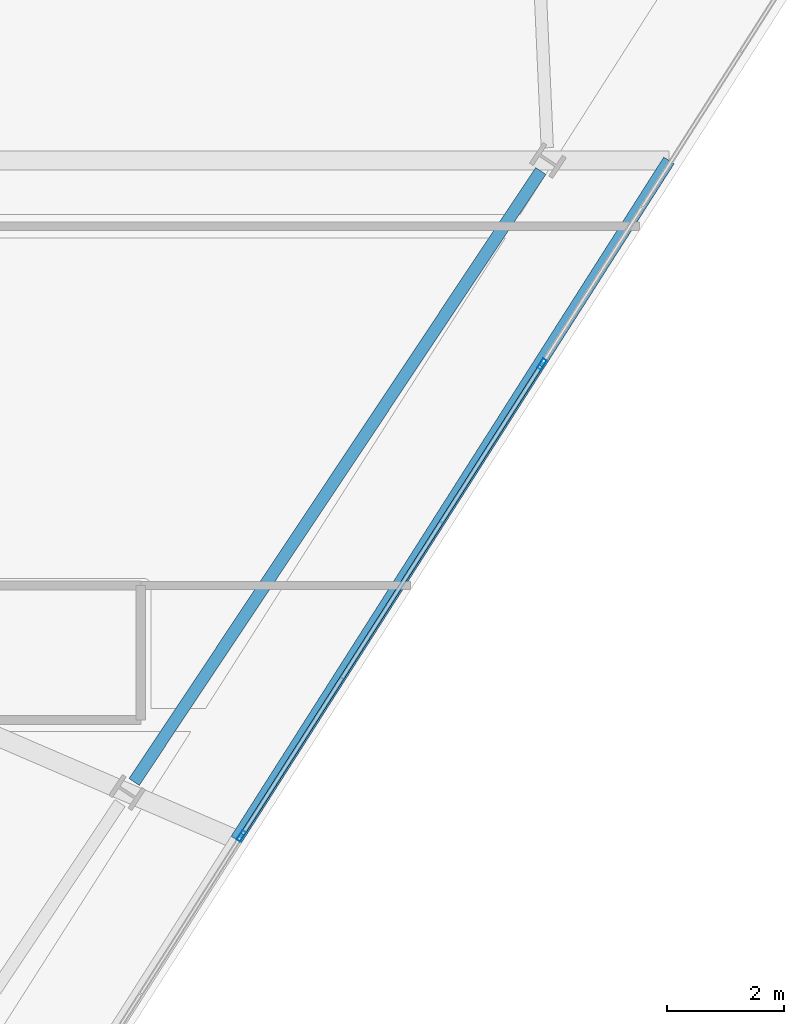
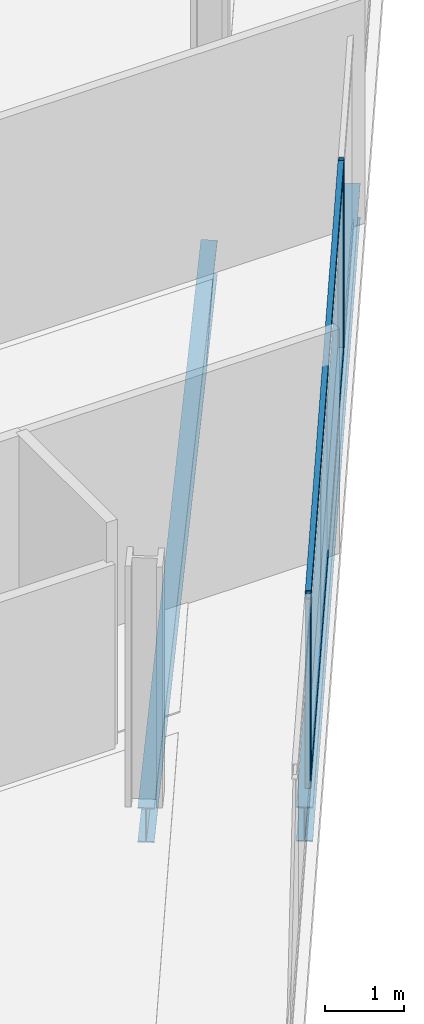
# One storey, part 11 of 30: 4 members, 2 beams, 1 element without a shape of its own.
"""IFC4 building model written with IfcOpenShell, lengths in metres."""

from ifc_helpers import new_model, si_unit, direction, frame, origin, origin_2d, place, context, subcontext, project, spatial, hollow_rectangle, i_section, extrude, material, material_profile, profile_set, type_object, element, aggregate, save


model = new_model("IFC4")

# Units and contexts
model_context = context("Model", 3, precision=1e-05, world=origin(), true_north=direction((0.0, 1.0)))
body_context = subcontext(model_context, "Body", "Model", "MODEL_VIEW")
ifc_project = project(units=[si_unit("LENGTHUNIT", "METRE"), si_unit("AREAUNIT", "SQUARE_METRE"), si_unit("VOLUMEUNIT", "CUBIC_METRE"), si_unit("PLANEANGLEUNIT", "RADIAN"), si_unit("MASSUNIT", "GRAM", prefix="KILO")], contexts=[model_context])

# Site, building, storey
site_placement = place(None, origin())
site = spatial("IfcSite", under=ifc_project, at=site_placement, CompositionType="ELEMENT")
building_placement = place(site_placement, origin())
building = spatial("IfcBuilding", under=site, at=building_placement, Name="Haldenkirk Collegiate Tower", CompositionType="ELEMENT")
storey_placement = place(building_placement, frame((0.0, 0.0, 220.949951171875)))
storey = spatial("IfcBuildingStorey", under=building, at=storey_placement, Name="L55", CompositionType="ELEMENT", Elevation=220.949951171875)

# Beams
ifc_material_1 = material(Name="Steel ASTM A992 Grade 50", Category="steel")
ifc_material_profile_1 = material_profile(ifc_material_1, i_section(OverallWidth=0.2099609375, OverallDepth=0.537109375, WebThickness=0.010986328125, FlangeThickness=0.017333984375, at=origin_2d()), Name="W21X68")
ifc_profile_set_1 = profile_set([ifc_material_profile_1], Name="Steel ASTM A992 Grade 50")
beam_type = type_object("IfcBeamType", Name="BM-SPANDREL-W21X68", PredefinedType="SPANDREL", material=ifc_profile_set_1)
beam_1_placement = place(storey_placement, frame((53.6845703125, 14.48876953125, -0.54833984375), z_axis=(0.554125989098, 0.832432813028, 0.0), x_axis=(-0.832432813028, 0.554125989098, 0.0)))
element("IfcBeam", 1, at=beam_1_placement, inside=storey, type_object=beam_type, Name="L55 perimeter spandrel beam 03", PredefinedType="SPANDREL", context=body_context, shape_type="SweptSolid", body=[
    extrude(i_section(OverallWidth=0.2099609375, OverallDepth=0.537109375, WebThickness=0.010986328125, FlangeThickness=0.017333984375, at=origin_2d()), origin(), (0.0, 0.0, 1.0), 12.56201171875),
])
beam_2_placement = place(storey_placement, frame((55.43359375, 13.50244140625, -0.54833984375), z_axis=(0.537297223692, 0.843392965001, 0.0), x_axis=(-0.843392965001, 0.537297223692, 0.0)))
element("IfcBeam", 2, at=beam_2_placement, inside=storey, type_object=beam_type, Name="L55 outer facade edge beam 1B", PredefinedType="SPANDREL", context=body_context, shape_type="SweptSolid", body=[
    extrude(i_section(OverallWidth=0.2099609375, OverallDepth=0.537109375, WebThickness=0.010986328125, FlangeThickness=0.017333984375, at=origin_2d()), origin(), (0.0, 0.0, 1.0), 13.782470703125),
])

# Curtain wall, members
ifc_material_2 = material(Name="Anodised architectural bronze aluminium", Category="aluminium")
curtain_wall_type = type_object("IfcCurtainWallType", Name="CW-SYS2-CONCAVE", PredefinedType="USERDEFINED", material=ifc_material_2)
curtain_wall_placement = place(storey_placement, origin())
curtain_wall = element("IfcCurtainWall", 3, at=curtain_wall_placement, inside=storey, type_object=curtain_wall_type, Name="L55 South concave recessed bronze-anodised curtain wall", ObjectType="UNITISED CURTAIN WALL", PredefinedType="USERDEFINED")
ifc_material_profile_2 = material_profile(ifc_material_2, hollow_rectangle(XDim=0.074951171875, YDim=0.18994140625, WallThickness=0.0048828125, at=origin_2d()), Name="CW-MUL-02")
ifc_profile_set_2 = profile_set([ifc_material_profile_2], Name="Anodised architectural bronze aluminium")
member_type_1 = type_object("IfcMemberType", Name="CW-MUL-02", PredefinedType="MULLION", material=ifc_profile_set_2)
member_1_placement = place(storey_placement, frame((60.6650390625, 21.6396484375, 0.0), z_axis=(0.0, 0.0, 1.0), x_axis=(0.843390453731, -0.5373011656, 0.0)))
member_1 = element("IfcMember", 4, at=member_1_placement, type_object=member_type_1, Name="CW-02 mullion 2", PredefinedType="MULLION", context=body_context, shape_type="SweptSolid", body=[
    extrude(hollow_rectangle(XDim=0.074951171875, YDim=0.18994140625, WallThickness=0.0048828125, at=origin_2d()), origin(), (0.0, 0.0, 1.0), 2.927978515625),
])
member_2_placement = place(storey_placement, frame((55.520263671875, 13.564208984375, 0.0), z_axis=(0.0, 0.0, 1.0), x_axis=(0.843390453731, -0.5373011656, 0.0)))
member_2 = element("IfcMember", 5, at=member_2_placement, type_object=member_type_1, Name="CW-02 mullion 3", PredefinedType="MULLION", context=body_context, shape_type="SweptSolid", body=[
    extrude(hollow_rectangle(XDim=0.074951171875, YDim=0.18994140625, WallThickness=0.0048828125, at=origin_2d()), origin(), (0.0, 0.0, 1.0), 2.927978515625),
])
ifc_material_profile_3 = material_profile(ifc_material_2, hollow_rectangle(XDim=0.074951171875, YDim=0.159912109375, WallThickness=0.0048828125, at=origin_2d()), Name="CW-TRN-02")
ifc_profile_set_3 = profile_set([ifc_material_profile_3], Name="Anodised architectural bronze aluminium")
member_type_2 = type_object("IfcMemberType", Name="CW-TRN-02", PredefinedType="USERDEFINED", material=ifc_profile_set_3)
member_3_placement = place(storey_placement, frame((60.644775390625, 21.60791015625, 0.03759765625), z_axis=(-0.53730445725, -0.843388356702, 0.0), x_axis=(0.843388356702, -0.53730445725, 0.0)))
member_3 = element("IfcMember", 6, at=member_3_placement, type_object=member_type_2, Name="CW-02 transom 2.1", ObjectType="TRANSOM", PredefinedType="USERDEFINED", context=body_context, shape_type="SweptSolid", body=[
    extrude(hollow_rectangle(XDim=0.074951171875, YDim=0.159912109375, WallThickness=0.0048828125, at=origin_2d()), origin(), (0.0, 0.0, 1.0), 9.499755859375),
])
member_4_placement = place(storey_placement, frame((60.644775390625, 21.60791015625, 2.890625), z_axis=(-0.53730445725, -0.843388356702, 0.0), x_axis=(0.843388356702, -0.53730445725, 0.0)))
member_4 = element("IfcMember", 7, at=member_4_placement, type_object=member_type_2, Name="CW-02 transom 2.2", ObjectType="TRANSOM", PredefinedType="USERDEFINED", context=body_context, shape_type="SweptSolid", body=[
    extrude(hollow_rectangle(XDim=0.074951171875, YDim=0.159912109375, WallThickness=0.0048828125, at=origin_2d()), origin(), (0.0, 0.0, 1.0), 9.499755859375),
])
aggregate(curtain_wall, [member_1, member_2, member_3, member_4])

save(model, "model.ifc")
